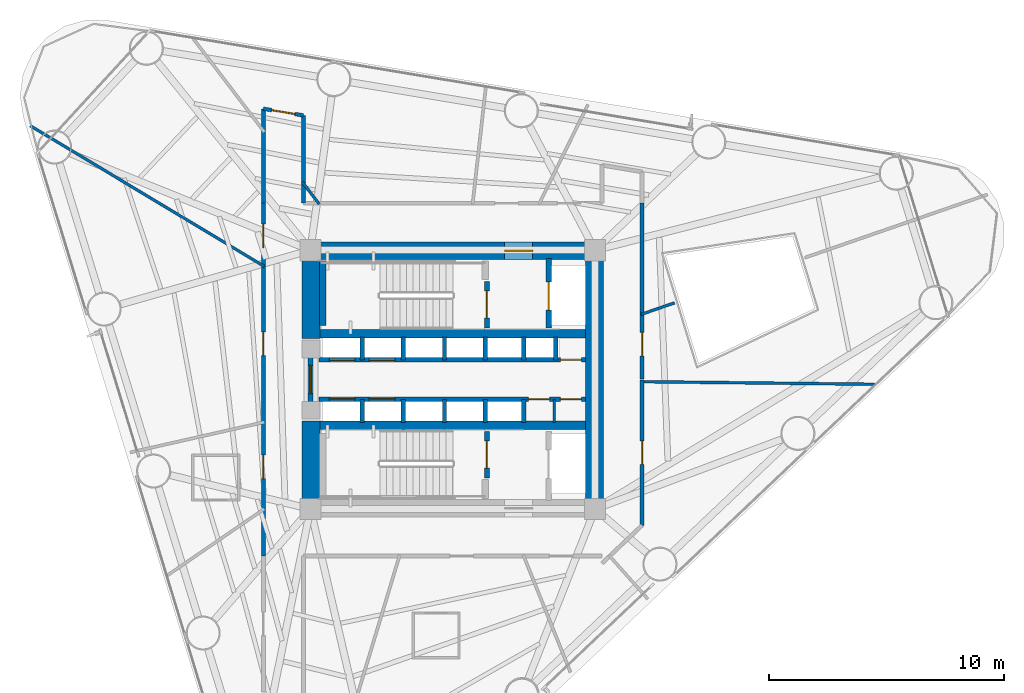
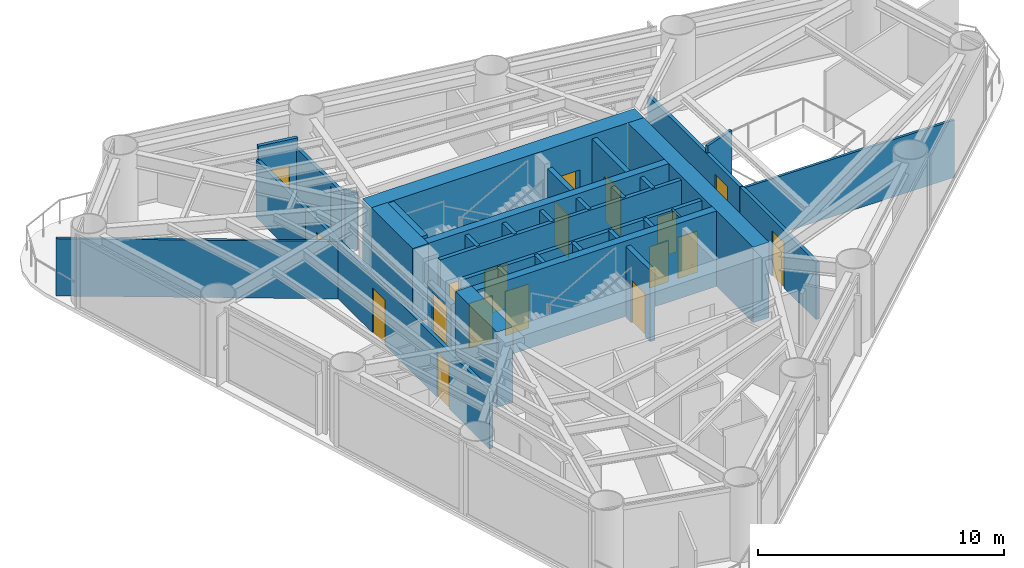
# One storey, part 6 of 10: 35 walls, 18 doors, 18 openings.
"""IFC4 building model written with IfcOpenShell, lengths in metres."""

from ifc_helpers import new_model, si_unit, direction, frame, frame_2d, origin, place, context, subcontext, project, spatial, rectangle, extrude, material, layer, layer_set, type_object, element, fill, save


model = new_model("IFC4")

# Units and contexts
model_context = context("Model", 3, precision=1e-05, world=origin(), true_north=direction((0.0, 1.0)))
body_context = subcontext(model_context, "Body", "Model", "MODEL_VIEW")
ifc_project = project(units=[si_unit("LENGTHUNIT", "METRE"), si_unit("AREAUNIT", "SQUARE_METRE"), si_unit("VOLUMEUNIT", "CUBIC_METRE"), si_unit("PLANEANGLEUNIT", "RADIAN"), si_unit("MASSUNIT", "GRAM", prefix="KILO")], contexts=[model_context])

# Site, building, storey
site_placement = place(None, origin())
site = spatial("IfcSite", under=ifc_project, at=site_placement, CompositionType="ELEMENT")
building_placement = place(site_placement, origin())
building = spatial("IfcBuilding", under=site, at=building_placement, Name="Yunling Apex Tower", CompositionType="ELEMENT")
storey_placement = place(building_placement, frame((0.0, 0.0, 97.39990234375)))
storey = spatial("IfcBuildingStorey", under=building, at=storey_placement, Name="L24", CompositionType="ELEMENT", Elevation=97.39990234375)

# Wall, opening, door
ifc_material_1 = material(Name="Concrete C60", Category="concrete")
ifc_layer_1 = layer(ifc_material_1, 0.75)
ifc_layer_set_1 = layer_set([ifc_layer_1], Name="Concrete C60")
wall_type_1 = type_object("IfcWallType", Name="WL-COR-1", PredefinedType="SHEAR", material=ifc_layer_set_1)
wall_1_placement = place(storey_placement, frame((-6.39990234375, 5.47509765625, 0.0), z_axis=(0.0, 0.0, 1.0), x_axis=(1.0, 0.0, 0.0)))
wall_1 = element("IfcWall", 1, at=wall_1_placement, inside=storey, type_object=wall_type_1, Name="L24 North Core Shear Wall", PredefinedType="SHEAR", context=body_context, shape_type="SweptSolid", body=[
    extrude(rectangle(XDim=12.7998046875, YDim=0.75, at=frame_2d((6.39990234375, 0.0))), origin(), (0.0, 0.0, 1.0), 3.75),
])
opening_1_placement = place(wall_1_placement, frame((8.60009765625, 0.0, 0.0)))
opening_1 = element("IfcOpeningElement", 2, at=opening_1_placement, cuts=wall_1, Name="Opening DR-FFL-1", PredefinedType="OPENING", context=body_context, shape_type="SweptSolid", body=[
    extrude(rectangle(XDim=1.199951171875, YDim=2.199951171875, at=frame_2d((0.60009765625, 1.10009765625))), frame((0.0, 0.385009765625, 0.0), z_axis=(0.0, -1.0, 0.0), x_axis=(1.0, 0.0, 0.0)), (0.0, 0.0, 1.0), 0.77001953125),
])
ifc_material_2 = material(Name="Steel Q355B", Category="steel")
door_type_1 = type_object("IfcDoorType", Name="DR-FFL-1", OperationType="NOTDEFINED", PredefinedType="DOOR", material=ifc_material_2)
door_1_placement = place(opening_1_placement, origin())
door_1 = element("IfcDoor", 3, at=door_1_placement, inside=storey, type_object=door_type_1, Name="L24 North Firefighting Lobby Door", OperationType="SINGLE_SWING_LEFT", OverallHeight=2.199951171875, OverallWidth=1.199951171875, PredefinedType="DOOR", context=body_context, shape_type="SweptSolid", body=[
    extrude(rectangle(XDim=1.199951171875, YDim=2.199951171875, at=frame_2d((0.60009765625, 1.10009765625))), frame((0.0, 0.02490234375, 0.0), z_axis=(0.0, -1.0, 0.0), x_axis=(1.0, 0.0, 0.0)), (0.0, 0.0, 1.0), 0.050048828125),
])
fill(opening_1, door_1)

# Walls
wall_2_placement = place(storey_placement, frame((6.02490234375, -5.10009765625, 0.0), z_axis=(0.0, 0.0, 1.0), x_axis=(0.0, 1.0, 0.0)))
element("IfcWall", 4, at=wall_2_placement, inside=storey, type_object=wall_type_1, Name="L24 East Core Shear Wall", PredefinedType="SHEAR", context=body_context, shape_type="SweptSolid", body=[
    extrude(rectangle(XDim=10.2001953125, YDim=0.75, at=frame_2d((5.10009765625, 0.0))), origin(), (0.0, 0.0, 1.0), 3.75),
])
for number, where, z_axis, x_axis, name in (
    (5, (-6.02490234375, -5.10009765625, 0.0), (0.0, 0.0, 1.0), (0.0, 1.0, 0.0), "L24 West-South Core Shear Wall"),
    (6, (-6.02490234375, 1.75, 0.0), (0.0, 0.0, 1.0), (0.0, 1.0, 0.0), "L24 West-North Core Shear Wall"),
):
    element("IfcWall", number, at=place(storey_placement, frame(where, z_axis=z_axis, x_axis=x_axis)), inside=storey, type_object=wall_type_1, Name=name, PredefinedType="SHEAR", context=body_context, shape_type="SweptSolid", body=[
        extrude(rectangle(XDim=3.35009765625, YDim=0.75, at=frame_2d((1.675048828125, 0.0))), origin(), (0.0, 0.0, 1.0), 3.75),
    ])
ifc_material_3 = material(Name="Concrete C40", Category="concrete")
ifc_layer_2 = layer(ifc_material_3, 0.360107421875)
ifc_layer_set_2 = layer_set([ifc_layer_2], Name="Concrete C40")
wall_type_2 = type_object("IfcWallType", Name="WL-COR-4", PredefinedType="SHEAR", material=ifc_layer_set_2)
for number, where, z_axis, x_axis, name in (
    (7, (-5.64990234375, 1.93994140625, 0.0), (0.0, 0.0, 1.0), (1.0, 0.0, 0.0), "L24 North Internal Core Shear Wall"),
    (8, (-5.64990234375, -1.93994140625, 0.0), (0.0, 0.0, 1.0), (1.0, 0.0, 0.0), "L24 South Internal Core Shear Wall"),
):
    element("IfcWall", number, at=place(storey_placement, frame(where, z_axis=z_axis, x_axis=x_axis)), inside=storey, type_object=wall_type_2, Name=name, PredefinedType="SHEAR", context=body_context, shape_type="SweptSolid", body=[
        extrude(rectangle(XDim=11.2998046875, YDim=0.360107421875, at=frame_2d((5.64990234375, 0.0))), origin(), (0.0, 0.0, 1.0), 3.75),
    ])
ifc_layer_3 = layer(ifc_material_3, 0.280029296875)
ifc_layer_set_3 = layer_set([ifc_layer_3], Name="Concrete C40")
wall_type_3 = type_object("IfcWallType", Name="WL-COR-8", PredefinedType="SHEAR", material=ifc_layer_set_3)
wall_3_placement = place(storey_placement, frame((-5.52001953125, 2.300048828125, 0.0), z_axis=(0.0, 0.0, 1.0), x_axis=(0.0, 1.0, 0.0)))
element("IfcWall", 9, at=wall_3_placement, inside=storey, type_object=wall_type_3, Name="L24 ST-1 West Landing Bearing Wall", PredefinedType="SHEAR", context=body_context, shape_type="SweptSolid", body=[
    extrude(rectangle(XDim=2.75, YDim=0.280029296875, at=frame_2d((1.375, 0.0))), origin(), (0.0, 0.0, 1.0), 3.75),
])

# Wall, openings, doors
ifc_material_4 = material(Name="Gypsum board acoustic partition")
ifc_layer_4 = layer(ifc_material_4, 0.159912109375)
ifc_layer_set_4 = layer_set([ifc_layer_4], Name="Gypsum board acoustic partition")
wall_type_4 = type_object("IfcWallType", Name="WL-PRT-1", PredefinedType="PARTITIONING", material=ifc_layer_set_4)
wall_4_placement = place(storey_placement, frame((-8.050048828125, -7.5, 0.0), z_axis=(0.0, 0.0, 1.0), x_axis=(0.0, 1.0, 0.0)))
wall_4 = element("IfcWall", 10, at=wall_4_placement, inside=storey, type_object=wall_type_4, Name="WL-CORR-L24-02", PredefinedType="PARTITIONING", context=body_context, shape_type="SweptSolid", body=[
    extrude(rectangle(XDim=15.0, YDim=0.159912109375, at=frame_2d((7.5, 0.0))), origin(), (0.0, 0.0, 1.0), 2.85009765625),
])
opening_2_placement = place(wall_4_placement, frame((3.2919921875, 0.0, 0.0)))
opening_2 = element("IfcOpeningElement", 11, at=opening_2_placement, cuts=wall_4, Name="Opening DR-OFF-1", PredefinedType="OPENING", context=body_context, shape_type="SweptSolid", body=[
    extrude(rectangle(XDim=1.0, YDim=2.25, at=frame_2d((0.5, 1.125))), frame((0.0, 0.08984375, 0.0), z_axis=(0.0, -1.0, 0.0), x_axis=(1.0, 0.0, 0.0)), (0.0, 0.0, 1.0), 0.179931640625),
])
opening_3_placement = place(wall_4_placement, frame((8.52392578125, 0.0, 0.0)))
opening_3 = element("IfcOpeningElement", 12, at=opening_3_placement, cuts=wall_4, Name="Opening DR-OFF-1", PredefinedType="OPENING", context=body_context, shape_type="SweptSolid", body=[
    extrude(rectangle(XDim=1.0, YDim=2.25, at=frame_2d((0.5, 1.125))), frame((0.0, 0.08984375, 0.0), z_axis=(0.0, -1.0, 0.0), x_axis=(1.0, 0.0, 0.0)), (0.0, 0.0, 1.0), 0.179931640625),
])
opening_4_placement = place(wall_4_placement, frame((13.105224609375, 0.0, 0.0)))
opening_4 = element("IfcOpeningElement", 13, at=opening_4_placement, cuts=wall_4, Name="Opening DR-OFF-1", PredefinedType="OPENING", context=body_context, shape_type="SweptSolid", body=[
    extrude(rectangle(XDim=1.0, YDim=2.25, at=frame_2d((0.5, 1.125))), frame((0.0, 0.08984375, 0.0), z_axis=(0.0, -1.0, 0.0), x_axis=(1.0, 0.0, 0.0)), (0.0, 0.0, 1.0), 0.179931640625),
])
ifc_material_5 = material(Name="Bronze anodised aluminium", Category="aluminium")
door_type_2 = type_object("IfcDoorType", Name="DR-OFF-1", OperationType="NOTDEFINED", PredefinedType="DOOR", material=ifc_material_5)
door_2_placement = place(opening_2_placement, origin())
door_2 = element("IfcDoor", 14, at=door_2_placement, inside=storey, type_object=door_type_2, Name="L24 Office Suite Door", OperationType="SINGLE_SWING_LEFT", OverallHeight=2.25, OverallWidth=1.0, PredefinedType="DOOR", context=body_context, shape_type="SweptSolid", body=[
    extrude(rectangle(XDim=1.0, YDim=2.25, at=frame_2d((0.5, 1.125))), frame((0.0, 0.02490234375, 0.0), z_axis=(0.0, -1.0, 0.0), x_axis=(1.0, 0.0, 0.0)), (0.0, 0.0, 1.0), 0.050048828125),
])
fill(opening_2, door_2)
door_3_placement = place(opening_3_placement, origin())
door_3 = element("IfcDoor", 15, at=door_3_placement, inside=storey, type_object=door_type_2, Name="L24 Tea Point Kitchen Door", OperationType="SINGLE_SWING_RIGHT", OverallHeight=2.25, OverallWidth=1.0, PredefinedType="DOOR", context=body_context, shape_type="SweptSolid", body=[
    extrude(rectangle(XDim=1.0, YDim=2.25, at=frame_2d((0.5, 1.125))), frame((0.0, 0.02490234375, 0.0), z_axis=(0.0, -1.0, 0.0), x_axis=(1.0, 0.0, 0.0)), (0.0, 0.0, 1.0), 0.050048828125),
])
fill(opening_3, door_3)
door_4_placement = place(opening_4_placement, origin())
door_4 = element("IfcDoor", 16, at=door_4_placement, inside=storey, type_object=door_type_2, Name="L24 Tea Point Kitchen Door", OperationType="SINGLE_SWING_LEFT", OverallHeight=2.25, OverallWidth=1.0, PredefinedType="DOOR", context=body_context, shape_type="SweptSolid", body=[
    extrude(rectangle(XDim=1.0, YDim=2.25, at=frame_2d((0.5, 1.125))), frame((0.0, 0.02490234375, 0.0), z_axis=(0.0, -1.0, 0.0), x_axis=(1.0, 0.0, 0.0)), (0.0, 0.0, 1.0), 0.050048828125),
])
fill(opening_4, door_4)

# Wall
wall_5_placement = place(storey_placement, frame((-8.050048828125, 7.5, 0.0), z_axis=(0.0, 0.0, 1.0), x_axis=(0.0, 1.0, 0.0)))
element("IfcWall", 17, at=wall_5_placement, inside=storey, type_object=wall_type_4, Name="WL-CORR-L24-03", PredefinedType="PARTITIONING", context=body_context, shape_type="SweptSolid", body=[
    extrude(rectangle(XDim=4.012451171875, YDim=0.159912109375, at=frame_2d((2.00634765625, 0.0))), origin(), (0.0, 0.0, 1.0), 2.85009765625),
])

# Wall, opening, door
wall_6_placement = place(storey_placement, frame((-8.050048828125, 11.512451171875, 0.0), z_axis=(0.0, 0.0, 1.0), x_axis=(0.986405407683, -0.164330069354, 0.0)))
wall_6 = element("IfcWall", 18, at=wall_6_placement, inside=storey, type_object=wall_type_4, Name="WL-CORR-L24-04", PredefinedType="PARTITIONING", context=body_context, shape_type="SweptSolid", body=[
    extrude(rectangle(XDim=1.723388671875, YDim=0.159912109375, at=frame_2d((0.86181640625, 0.0))), origin(), (0.0, 0.0, 1.0), 3.545166015625),
])
opening_5_placement = place(wall_6_placement, frame((0.36181640625, 0.0, 0.0)))
opening_5 = element("IfcOpeningElement", 19, at=opening_5_placement, cuts=wall_6, Name="Opening DR-OFF-1", PredefinedType="OPENING", context=body_context, shape_type="SweptSolid", body=[
    extrude(rectangle(XDim=1.0, YDim=2.25, at=frame_2d((0.5, 1.125))), frame((0.0, 0.08984375, 0.0), z_axis=(0.0, -1.0, 0.0), x_axis=(1.0, 0.0, 0.0)), (0.0, 0.0, 1.0), 0.179931640625),
])
door_5_placement = place(opening_5_placement, origin())
door_5 = element("IfcDoor", 20, at=door_5_placement, inside=storey, type_object=door_type_2, Name="L24 Administration Staff Room Door", OperationType="SINGLE_SWING_RIGHT", OverallHeight=2.25, OverallWidth=1.0, PredefinedType="DOOR", context=body_context, shape_type="SweptSolid", body=[
    extrude(rectangle(XDim=1.0, YDim=2.25, at=frame_2d((0.5, 1.125))), frame((0.0, 0.02490234375, 0.0), z_axis=(0.0, -1.0, 0.0), x_axis=(1.0, 0.0, 0.0)), (0.0, 0.0, 1.0), 0.050048828125),
])
fill(opening_5, door_5)

# Wall
wall_7_placement = place(storey_placement, frame((-6.35009765625, 11.229248046875, 0.0), z_axis=(0.0, 0.0, 1.0), x_axis=(0.0, -1.0, 0.0)))
element("IfcWall", 21, at=wall_7_placement, inside=storey, type_object=wall_type_4, Name="WL-CORR-L24-05", PredefinedType="PARTITIONING", context=body_context, shape_type="SweptSolid", body=[
    extrude(rectangle(XDim=3.729248046875, YDim=0.159912109375, at=frame_2d((1.86474609375, 0.0))), origin(), (0.0, 0.0, 1.0), 3.050048828125),
])

# Wall, opening, door
wall_8_placement = place(storey_placement, frame((8.050048828125, 7.5, 0.0), z_axis=(0.0, 0.0, 1.0), x_axis=(0.0, -1.0, 0.0)))
wall_8 = element("IfcWall", 22, at=wall_8_placement, inside=storey, type_object=wall_type_4, Name="WL-CORR-L24-10", PredefinedType="PARTITIONING", context=body_context, shape_type="SweptSolid", body=[
    extrude(rectangle(XDim=7.47998046875, YDim=0.159912109375, at=frame_2d((3.739990234375, 0.0))), origin(), (0.0, 0.0, 1.0), 2.85009765625),
])
opening_6_placement = place(wall_8_placement, frame((5.4912109375, 0.0, 0.0)))
opening_6 = element("IfcOpeningElement", 23, at=opening_6_placement, cuts=wall_8, Name="Opening DR-OFF-1", PredefinedType="OPENING", context=body_context, shape_type="SweptSolid", body=[
    extrude(rectangle(XDim=1.0, YDim=2.25, at=frame_2d((0.5, 1.125))), frame((0.0, 0.08984375, 0.0), z_axis=(0.0, -1.0, 0.0), x_axis=(1.0, 0.0, 0.0)), (0.0, 0.0, 1.0), 0.179931640625),
])
door_6_placement = place(opening_6_placement, origin())
door_6 = element("IfcDoor", 24, at=door_6_placement, inside=storey, type_object=door_type_2, Name="L24 Conference Meeting Room Door", OperationType="SINGLE_SWING_LEFT", OverallHeight=2.25, OverallWidth=1.0, PredefinedType="DOOR", context=body_context, shape_type="SweptSolid", body=[
    extrude(rectangle(XDim=1.0, YDim=2.25, at=frame_2d((0.5, 1.125))), frame((0.0, 0.02490234375, 0.0), z_axis=(0.0, -1.0, 0.0), x_axis=(1.0, 0.0, 0.0)), (0.0, 0.0, 1.0), 0.050048828125),
])
fill(opening_6, door_6)

wall_9_placement = place(storey_placement, frame((8.050048828125, -0.02001953125, 0.0), z_axis=(0.0, 0.0, 1.0), x_axis=(0.0, -1.0, 0.0)))
wall_9 = element("IfcWall", 25, at=wall_9_placement, inside=storey, type_object=wall_type_4, Name="WL-CORR-L24-11", PredefinedType="PARTITIONING", context=body_context, shape_type="SweptSolid", body=[
    extrude(rectangle(XDim=6.173583984375, YDim=0.159912109375, at=frame_2d((3.0869140625, 0.0))), origin(), (0.0, 0.0, 1.0), 2.85009765625),
])
opening_7_placement = place(wall_9_placement, frame((2.5869140625, 0.0, 0.0)))
opening_7 = element("IfcOpeningElement", 26, at=opening_7_placement, cuts=wall_9, Name="Opening DR-OFF-1", PredefinedType="OPENING", context=body_context, shape_type="SweptSolid", body=[
    extrude(rectangle(XDim=1.0, YDim=2.25, at=frame_2d((0.5, 1.125))), frame((0.0, 0.08984375, 0.0), z_axis=(0.0, -1.0, 0.0), x_axis=(1.0, 0.0, 0.0)), (0.0, 0.0, 1.0), 0.179931640625),
])
door_7_placement = place(opening_7_placement, origin())
door_7 = element("IfcDoor", 27, at=door_7_placement, inside=storey, type_object=door_type_2, Name="L24 Tea Point Kitchen Door", OperationType="SINGLE_SWING_RIGHT", OverallHeight=2.25, OverallWidth=1.0, PredefinedType="DOOR", context=body_context, shape_type="SweptSolid", body=[
    extrude(rectangle(XDim=1.0, YDim=2.25, at=frame_2d((0.5, 1.125))), frame((0.0, 0.02490234375, 0.0), z_axis=(0.0, -1.0, 0.0), x_axis=(1.0, 0.0, 0.0)), (0.0, 0.0, 1.0), 0.050048828125),
])
fill(opening_7, door_7)

# Walls
ifc_layer_5 = layer(ifc_material_4, 0.1201171875)
ifc_layer_set_5 = layer_set([ifc_layer_5], Name="Gypsum board acoustic partition")
wall_type_5 = type_object("IfcWallType", Name="WL-PRT-3", PredefinedType="PARTITIONING", material=ifc_layer_set_5)
wall_10_placement = place(storey_placement, frame((-8.010009765625, 4.81298828125, 0.0), z_axis=(0.0, 0.0, 1.0), x_axis=(-0.857173493242, 0.515027768653, 0.0)))
element("IfcWall", 28, at=wall_10_placement, inside=storey, type_object=wall_type_5, Name="WL-RAD-L24-01", PredefinedType="PARTITIONING", context=body_context, shape_type="SweptSolid", body=[
    extrude(rectangle(XDim=11.605224609375, YDim=0.1201171875, at=frame_2d((5.802734375, 0.0))), origin(), (0.0, 0.0, 1.0), 2.85009765625),
])
wall_11_placement = place(storey_placement, frame((8.010009765625, -0.089111328125, 0.0), z_axis=(0.0, 0.0, 1.0), x_axis=(0.999938319872, -0.011106594972, 0.0)))
element("IfcWall", 29, at=wall_11_placement, inside=storey, type_object=wall_type_5, Name="WL-RAD-L24-07", PredefinedType="PARTITIONING", context=body_context, shape_type="SweptSolid", body=[
    extrude(rectangle(XDim=9.913818359375, YDim=0.1201171875, at=frame_2d((4.95703125, 0.0))), origin(), (0.0, 0.0, 1.0), 2.85009765625),
])
wall_12_placement = place(storey_placement, frame((8.010009765625, 2.772216796875, 0.0), z_axis=(0.0, 0.0, 1.0), x_axis=(0.945009284385, 0.327043502344, 0.0)))
element("IfcWall", 30, at=wall_12_placement, inside=storey, type_object=wall_type_5, Name="WL-RAD-L24-08", PredefinedType="PARTITIONING", context=body_context, shape_type="SweptSolid", body=[
    extrude(rectangle(XDim=1.50048828125, YDim=0.1201171875, at=frame_2d((0.750244140625, 0.0))), origin(), (0.0, 0.0, 1.0), 3.210205078125),
])
wall_13_placement = place(storey_placement, frame((-5.677490234375, 7.4599609375, 0.0), z_axis=(0.0, 0.0, 1.0), x_axis=(-0.605430415, 0.795898242612, 0.0)))
element("IfcWall", 31, at=wall_13_placement, inside=storey, type_object=wall_type_5, Name="WL-RAD-L24-12", PredefinedType="PARTITIONING", context=body_context, shape_type="SweptSolid", body=[
    extrude(rectangle(XDim=1.1767578125, YDim=0.1201171875, at=frame_2d((0.58837890625, 0.0))), origin(), (0.0, 0.0, 1.0), 2.85009765625),
])
ifc_layer_6 = layer(ifc_material_4, 0.10009765625)
ifc_layer_set_6 = layer_set([ifc_layer_6], Name="Gypsum board acoustic partition")
wall_type_6 = type_object("IfcWallType", Name="WL-PRT-4", PredefinedType="PARTITIONING", material=ifc_layer_set_6)
wall_14_placement = place(storey_placement, frame((4.31005859375, -1.820068359375, 0.0), z_axis=(0.0, 0.0, 1.0), x_axis=(0.0, 1.0, 0.0)))
element("IfcWall", 32, at=wall_14_placement, inside=storey, type_object=wall_type_6, Name="WL-KCDIV-L24", PredefinedType="PARTITIONING", context=body_context, shape_type="SweptSolid", body=[
    extrude(rectangle(XDim=0.97998046875, YDim=0.10009765625, at=frame_2d((0.489990234375, 0.0))), origin(), (0.0, 0.0, 1.0), 3.545166015625),
])

# Wall, opening, door
ifc_material_6 = material(Name="Autoclaved aerated concrete masonry", Category="masonry")
ifc_layer_7 = layer(ifc_material_6, 0.219970703125)
ifc_layer_set_7 = layer_set([ifc_layer_7], Name="Autoclaved aerated concrete masonry")
wall_type_7 = type_object("IfcWallType", Name="WL-SHF-1", PredefinedType="PLUMBINGWALL", material=ifc_layer_set_7)
wall_15_placement = place(storey_placement, frame((-6.050048828125, -0.949951171875, 0.0), z_axis=(0.0, 0.0, 1.0), x_axis=(0.0, 1.0, 0.0)))
wall_15 = element("IfcWall", 33, at=wall_15_placement, inside=storey, type_object=wall_type_7, Name="WL-COR-WPORT-L24", PredefinedType="PLUMBINGWALL", context=body_context, shape_type="SweptSolid", body=[
    extrude(rectangle(XDim=1.89990234375, YDim=0.219970703125, at=frame_2d((0.949951171875, 0.0))), origin(), (0.0, 0.0, 1.0), 2.525146484375),
])
opening_8_placement = place(wall_15_placement, frame((0.35009765625, 0.0, 0.0)))
opening_8 = element("IfcOpeningElement", 34, at=opening_8_placement, cuts=wall_15, Name="Opening DR-FFL-1", PredefinedType="OPENING", context=body_context, shape_type="SweptSolid", body=[
    extrude(rectangle(XDim=1.199951171875, YDim=2.199951171875, at=frame_2d((0.60009765625, 1.10009765625))), frame((0.0, 0.1201171875, 0.0), z_axis=(0.0, -1.0, 0.0), x_axis=(1.0, 0.0, 0.0)), (0.0, 0.0, 1.0), 0.239990234375),
])
door_8_placement = place(opening_8_placement, origin())
door_8 = element("IfcDoor", 35, at=door_8_placement, inside=storey, type_object=door_type_1, Name="L24 Passenger Lift Lobby Entrance Door", OperationType="SINGLE_SWING_RIGHT", OverallHeight=2.199951171875, OverallWidth=1.199951171875, PredefinedType="DOOR", context=body_context, shape_type="SweptSolid", body=[
    extrude(rectangle(XDim=1.199951171875, YDim=2.199951171875, at=frame_2d((0.60009765625, 1.10009765625))), frame((0.0, 0.02490234375, 0.0), z_axis=(0.0, -1.0, 0.0), x_axis=(1.0, 0.0, 0.0)), (0.0, 0.0, 1.0), 0.050048828125),
])
fill(opening_8, door_8)

wall_16_placement = place(storey_placement, frame((1.449951171875, 2.199951171875, 0.0), z_axis=(0.0, 0.0, 1.0), x_axis=(0.0, 1.0, 0.0)))
wall_16 = element("IfcWall", 36, at=wall_16_placement, inside=storey, type_object=wall_type_7, Name="WL-ST1-E-L24", PredefinedType="PLUMBINGWALL", context=body_context, shape_type="SweptSolid", body=[
    extrude(rectangle(XDim=1.97998046875, YDim=0.219970703125, at=frame_2d((0.989990234375, 0.0))), origin(), (0.0, 0.0, 1.0), 3.545166015625),
])
opening_9_placement = place(wall_16_placement, frame((0.419921875, 0.0, 0.0)))
opening_9 = element("IfcOpeningElement", 37, at=opening_9_placement, cuts=wall_16, Name="Opening DR-ST-1", PredefinedType="OPENING", context=body_context, shape_type="SweptSolid", body=[
    extrude(rectangle(XDim=1.14990234375, YDim=2.14990234375, at=frame_2d((0.574951171875, 1.074951171875))), frame((0.0, 0.1201171875, 0.0), z_axis=(0.0, -1.0, 0.0), x_axis=(1.0, 0.0, 0.0)), (0.0, 0.0, 1.0), 0.239990234375),
])
door_type_3 = type_object("IfcDoorType", Name="DR-ST-1", OperationType="NOTDEFINED", PredefinedType="DOOR", material=ifc_material_2)
door_9_placement = place(opening_9_placement, origin())
door_9 = element("IfcDoor", 38, at=door_9_placement, inside=storey, type_object=door_type_3, Name="L24 Stair ST-1 Fire Door", OperationType="SINGLE_SWING_RIGHT", OverallHeight=2.14990234375, OverallWidth=1.14990234375, PredefinedType="DOOR", context=body_context, shape_type="SweptSolid", body=[
    extrude(rectangle(XDim=1.14990234375, YDim=2.14990234375, at=frame_2d((0.574951171875, 1.074951171875))), frame((0.0, 0.02490234375, 0.0), z_axis=(0.0, -1.0, 0.0), x_axis=(1.0, 0.0, 0.0)), (0.0, 0.0, 1.0), 0.050048828125),
])
fill(opening_9, door_9)

wall_17_placement = place(storey_placement, frame((4.080078125, 2.199951171875, 0.0), z_axis=(0.0, 0.0, 1.0), x_axis=(0.0, 1.0, 0.0)))
wall_17 = element("IfcWall", 39, at=wall_17_placement, inside=storey, type_object=wall_type_7, Name="WL-FFL1-W-L24", PredefinedType="PLUMBINGWALL", context=body_context, shape_type="SweptSolid", body=[
    extrude(rectangle(XDim=2.949951171875, YDim=0.219970703125, at=frame_2d((1.47509765625, 0.0))), origin(), (0.0, 0.0, 1.0), 3.545166015625),
])
opening_10_placement = place(wall_17_placement, frame((0.75, 0.0, 0.0)))
opening_10 = element("IfcOpeningElement", 40, at=opening_10_placement, cuts=wall_17, Name="Opening LD-FFL-1", PredefinedType="OPENING", context=body_context, shape_type="SweptSolid", body=[
    extrude(rectangle(XDim=1.199951171875, YDim=2.25, at=frame_2d((0.60009765625, 1.125))), frame((0.0, 0.1201171875, 0.0), z_axis=(0.0, -1.0, 0.0), x_axis=(1.0, 0.0, 0.0)), (0.0, 0.0, 1.0), 0.239990234375),
])
door_type_4 = type_object("IfcDoorType", Name="LD-FFL-1", OperationType="DOUBLE_DOOR_SLIDING", PredefinedType="DOOR", material=ifc_material_2)
door_10_placement = place(opening_10_placement, origin())
door_10 = element("IfcDoor", 41, at=door_10_placement, inside=storey, type_object=door_type_4, Name="L24 Lift FFL-1 Landing Door", OperationType="DOUBLE_DOOR_SLIDING", OverallHeight=2.25, OverallWidth=1.199951171875, PredefinedType="DOOR", context=body_context, shape_type="SweptSolid", body=[
    extrude(rectangle(XDim=1.199951171875, YDim=2.25, at=frame_2d((0.60009765625, 1.125))), frame((0.0, 0.02490234375, 0.0), z_axis=(0.0, -1.0, 0.0), x_axis=(1.0, 0.0, 0.0)), (0.0, 0.0, 1.0), 0.050048828125),
])
fill(opening_10, door_10)

wall_18_placement = place(storey_placement, frame((1.449951171875, -4.179931640625, 0.0), z_axis=(0.0, 0.0, 1.0), x_axis=(0.0, 1.0, 0.0)))
wall_18 = element("IfcWall", 42, at=wall_18_placement, inside=storey, type_object=wall_type_7, Name="WL-ST2-E-L24", PredefinedType="PLUMBINGWALL", context=body_context, shape_type="SweptSolid", body=[
    extrude(rectangle(XDim=1.97998046875, YDim=0.219970703125, at=frame_2d((0.989990234375, 0.0))), origin(), (0.0, 0.0, 1.0), 3.545166015625),
])
opening_11_placement = place(wall_18_placement, frame((0.419921875, 0.0, 0.0)))
opening_11 = element("IfcOpeningElement", 43, at=opening_11_placement, cuts=wall_18, Name="Opening DR-ST-1", PredefinedType="OPENING", context=body_context, shape_type="SweptSolid", body=[
    extrude(rectangle(XDim=1.14990234375, YDim=2.14990234375, at=frame_2d((0.574951171875, 1.074951171875))), frame((0.0, 0.1201171875, 0.0), z_axis=(0.0, -1.0, 0.0), x_axis=(1.0, 0.0, 0.0)), (0.0, 0.0, 1.0), 0.239990234375),
])
door_11_placement = place(opening_11_placement, origin())
door_11 = element("IfcDoor", 44, at=door_11_placement, inside=storey, type_object=door_type_3, Name="L24 Stair ST-2 Fire Door", OperationType="SINGLE_SWING_LEFT", OverallHeight=2.14990234375, OverallWidth=1.14990234375, PredefinedType="DOOR", context=body_context, shape_type="SweptSolid", body=[
    extrude(rectangle(XDim=1.14990234375, YDim=2.14990234375, at=frame_2d((0.574951171875, 1.074951171875))), frame((0.0, 0.02490234375, 0.0), z_axis=(0.0, -1.0, 0.0), x_axis=(1.0, 0.0, 0.0)), (0.0, 0.0, 1.0), 0.050048828125),
])
fill(opening_11, door_11)

# Walls
ifc_layer_8 = layer(ifc_material_6, 0.179931640625)
ifc_layer_set_8 = layer_set([ifc_layer_8], Name="Autoclaved aerated concrete masonry")
wall_type_8 = type_object("IfcWallType", Name="WL-SHF-2", PredefinedType="PLUMBINGWALL", material=ifc_layer_set_8)
for number, where, z_axis, x_axis, name in (
    (45, (-3.85009765625, 0.840087890625, 0.0), (0.0, 0.0, 1.0), (0.0, 1.0, 0.0), "WL-DIV-L12-L24"),
    (46, (-3.85009765625, -1.820068359375, 0.0), (0.0, 0.0, 1.0), (0.0, 1.0, 0.0), "WL-DIV-L34-L24"),
    (47, (-2.10009765625, 0.840087890625, 0.0), (0.0, 0.0, 1.0), (0.0, 1.0, 0.0), "WL-BNK-LM-N-L24"),
    (48, (-2.10009765625, -1.820068359375, 0.0), (0.0, 0.0, 1.0), (0.0, 1.0, 0.0), "WL-BNK-LM-S-L24"),
    (49, (-0.35009765625, 0.840087890625, 0.0), (0.0, 0.0, 1.0), (0.0, 1.0, 0.0), "WL-DIV-M12-L24"),
    (50, (-0.35009765625, -1.820068359375, 0.0), (0.0, 0.0, 1.0), (0.0, 1.0, 0.0), "WL-DIV-M34-L24"),
    (51, (1.3798828125, 0.840087890625, 0.0), (0.0, 0.0, 1.0), (0.0, 1.0, 0.0), "WL-BNK-MH-N-L24"),
    (52, (1.3798828125, -1.820068359375, 0.0), (0.0, 0.0, 1.0), (0.0, 1.0, 0.0), "WL-BNK-MH-S-L24"),
    (53, (3.02001953125, 0.840087890625, 0.0), (0.0, 0.0, 1.0), (0.0, 1.0, 0.0), "WL-DIV-H13-L24"),
    (54, (4.3798828125, 0.840087890625, 0.0), (0.0, 0.0, 1.0), (0.0, 1.0, 0.0), "WL-END-H3E-L24"),
    (55, (3.02001953125, -1.820068359375, 0.0), (0.0, 0.0, 1.0), (0.0, 1.0, 0.0), "WL-END-H2E-L24"),
):
    element("IfcWall", number, at=place(storey_placement, frame(where, z_axis=z_axis, x_axis=x_axis)), inside=storey, type_object=wall_type_8, Name=name, PredefinedType="PLUMBINGWALL", context=body_context, shape_type="SweptSolid", body=[
        extrude(rectangle(XDim=0.97998046875, YDim=0.179931640625, at=frame_2d((0.489990234375, 0.0))), origin(), (0.0, 0.0, 1.0), 3.545166015625),
    ])

# Wall, openings, doors
wall_19_placement = place(storey_placement, frame((-5.679931640625, 0.840087890625, 0.0), z_axis=(0.0, 0.0, 1.0), x_axis=(1.0, 0.0, 0.0)))
wall_19 = element("IfcWall", 56, at=wall_19_placement, inside=storey, type_object=wall_type_8, Name="WL-LOB-N-L24", PredefinedType="PLUMBINGWALL", context=body_context, shape_type="SweptSolid", body=[
    extrude(rectangle(XDim=11.329833984375, YDim=0.179931640625, at=frame_2d((5.6650390625, 0.0))), origin(), (0.0, 0.0, 1.0), 3.545166015625),
])
opening_12_placement = place(wall_19_placement, frame((0.429931640625, 0.0, 0.0)))
opening_12 = element("IfcOpeningElement", 57, at=opening_12_placement, cuts=wall_19, Name="Opening LD-PAS-1", PredefinedType="OPENING", context=body_context, shape_type="SweptSolid", body=[
    extrude(rectangle(XDim=1.10009765625, YDim=2.199951171875, at=frame_2d((0.550048828125, 1.10009765625))), frame((0.0, 0.10009765625, 0.0), z_axis=(0.0, -1.0, 0.0), x_axis=(1.0, 0.0, 0.0)), (0.0, 0.0, 1.0), 0.199951171875),
])
opening_13_placement = place(wall_19_placement, frame((2.1298828125, 0.0, 0.0)))
opening_13 = element("IfcOpeningElement", 58, at=opening_13_placement, cuts=wall_19, Name="Opening LD-PAS-1", PredefinedType="OPENING", context=body_context, shape_type="SweptSolid", body=[
    extrude(rectangle(XDim=1.10009765625, YDim=2.199951171875, at=frame_2d((0.550048828125, 1.10009765625))), frame((0.0, 0.10009765625, 0.0), z_axis=(0.0, -1.0, 0.0), x_axis=(1.0, 0.0, 0.0)), (0.0, 0.0, 1.0), 0.199951171875),
])
opening_14_placement = place(wall_19_placement, frame((10.25, 0.0, 0.0)))
opening_14 = element("IfcOpeningElement", 59, at=opening_14_placement, cuts=wall_19, Name="Opening DR-SHF-1", PredefinedType="OPENING", context=body_context, shape_type="SweptSolid", body=[
    extrude(rectangle(XDim=0.89990234375, YDim=2.050048828125, at=frame_2d((0.449951171875, 1.02490234375))), frame((0.0, 0.10009765625, 0.0), z_axis=(0.0, -1.0, 0.0), x_axis=(1.0, 0.0, 0.0)), (0.0, 0.0, 1.0), 0.199951171875),
])
door_type_5 = type_object("IfcDoorType", Name="DR-SHF-1", OperationType="NOTDEFINED", PredefinedType="DOOR", material=ifc_material_2)
door_12_placement = place(opening_14_placement, origin())
door_12 = element("IfcDoor", 60, at=door_12_placement, inside=storey, type_object=door_type_5, Name="L24 Floor Supply Store Door", OperationType="SINGLE_SWING_RIGHT", OverallHeight=2.050048828125, OverallWidth=0.89990234375, PredefinedType="DOOR", context=body_context, shape_type="SweptSolid", body=[
    extrude(rectangle(XDim=0.89990234375, YDim=2.050048828125, at=frame_2d((0.449951171875, 1.02490234375))), frame((0.0, 0.02490234375, 0.0), z_axis=(0.0, -1.0, 0.0), x_axis=(1.0, 0.0, 0.0)), (0.0, 0.0, 1.0), 0.050048828125),
])
fill(opening_14, door_12)
ifc_material_7 = material(Name="Silver anodised aluminium", Category="aluminium")
door_type_6 = type_object("IfcDoorType", Name="LD-PAS-1", OperationType="DOUBLE_DOOR_SLIDING", PredefinedType="DOOR", material=ifc_material_7)
door_13_placement = place(opening_12_placement, origin())
door_13 = element("IfcDoor", 61, at=door_13_placement, inside=storey, type_object=door_type_6, Name="L24 Lift PL-L1 Landing Door", OperationType="DOUBLE_DOOR_SLIDING", OverallHeight=2.199951171875, OverallWidth=1.10009765625, PredefinedType="DOOR", context=body_context, shape_type="SweptSolid", body=[
    extrude(rectangle(XDim=1.10009765625, YDim=2.199951171875, at=frame_2d((0.550048828125, 1.10009765625))), frame((0.0, 0.02490234375, 0.0), z_axis=(0.0, -1.0, 0.0), x_axis=(1.0, 0.0, 0.0)), (0.0, 0.0, 1.0), 0.050048828125),
])
fill(opening_12, door_13)
door_14_placement = place(opening_13_placement, origin())
door_14 = element("IfcDoor", 62, at=door_14_placement, inside=storey, type_object=door_type_6, Name="L24 Lift PL-L2 Landing Door", OperationType="DOUBLE_DOOR_SLIDING", OverallHeight=2.199951171875, OverallWidth=1.10009765625, PredefinedType="DOOR", context=body_context, shape_type="SweptSolid", body=[
    extrude(rectangle(XDim=1.10009765625, YDim=2.199951171875, at=frame_2d((0.550048828125, 1.10009765625))), frame((0.0, 0.02490234375, 0.0), z_axis=(0.0, -1.0, 0.0), x_axis=(1.0, 0.0, 0.0)), (0.0, 0.0, 1.0), 0.050048828125),
])
fill(opening_13, door_14)

wall_20_placement = place(storey_placement, frame((-5.679931640625, -0.840087890625, 0.0), z_axis=(0.0, 0.0, 1.0), x_axis=(1.0, 0.0, 0.0)))
wall_20 = element("IfcWall", 63, at=wall_20_placement, inside=storey, type_object=wall_type_8, Name="WL-LOB-S-L24", PredefinedType="PLUMBINGWALL", context=body_context, shape_type="SweptSolid", body=[
    extrude(rectangle(XDim=11.329833984375, YDim=0.179931640625, at=frame_2d((5.6650390625, 0.0))), origin(), (0.0, 0.0, 1.0), 3.545166015625),
])
opening_15_placement = place(wall_20_placement, frame((0.429931640625, 0.0, 0.0)))
opening_15 = element("IfcOpeningElement", 64, at=opening_15_placement, cuts=wall_20, Name="Opening LD-PAS-1", PredefinedType="OPENING", context=body_context, shape_type="SweptSolid", body=[
    extrude(rectangle(XDim=1.10009765625, YDim=2.199951171875, at=frame_2d((0.550048828125, 1.10009765625))), frame((0.0, 0.10009765625, 0.0), z_axis=(0.0, -1.0, 0.0), x_axis=(1.0, 0.0, 0.0)), (0.0, 0.0, 1.0), 0.199951171875),
])
opening_16_placement = place(wall_20_placement, frame((2.1298828125, 0.0, 0.0)))
opening_16 = element("IfcOpeningElement", 65, at=opening_16_placement, cuts=wall_20, Name="Opening LD-PAS-1", PredefinedType="OPENING", context=body_context, shape_type="SweptSolid", body=[
    extrude(rectangle(XDim=1.10009765625, YDim=2.199951171875, at=frame_2d((0.550048828125, 1.10009765625))), frame((0.0, 0.10009765625, 0.0), z_axis=(0.0, -1.0, 0.0), x_axis=(1.0, 0.0, 0.0)), (0.0, 0.0, 1.0), 0.199951171875),
])
opening_17_placement = place(wall_20_placement, frame((8.89990234375, 0.0, 0.0)))
opening_17 = element("IfcOpeningElement", 66, at=opening_17_placement, cuts=wall_20, Name="Opening DR-SHF-1", PredefinedType="OPENING", context=body_context, shape_type="SweptSolid", body=[
    extrude(rectangle(XDim=0.89990234375, YDim=2.050048828125, at=frame_2d((0.449951171875, 1.02490234375))), frame((0.0, 0.10009765625, 0.0), z_axis=(0.0, -1.0, 0.0), x_axis=(1.0, 0.0, 0.0)), (0.0, 0.0, 1.0), 0.199951171875),
])
opening_18_placement = place(wall_20_placement, frame((10.25, 0.0, 0.0)))
opening_18 = element("IfcOpeningElement", 67, at=opening_18_placement, cuts=wall_20, Name="Opening DR-SHF-1", PredefinedType="OPENING", context=body_context, shape_type="SweptSolid", body=[
    extrude(rectangle(XDim=0.89990234375, YDim=2.050048828125, at=frame_2d((0.449951171875, 1.02490234375))), frame((0.0, 0.10009765625, 0.0), z_axis=(0.0, -1.0, 0.0), x_axis=(1.0, 0.0, 0.0)), (0.0, 0.0, 1.0), 0.199951171875),
])
door_15_placement = place(opening_17_placement, origin())
door_15 = element("IfcDoor", 68, at=door_15_placement, inside=storey, type_object=door_type_5, Name="L24 LV Closet Door", OperationType="SINGLE_SWING_LEFT", OverallHeight=2.050048828125, OverallWidth=0.89990234375, PredefinedType="DOOR", context=body_context, shape_type="SweptSolid", body=[
    extrude(rectangle(XDim=0.89990234375, YDim=2.050048828125, at=frame_2d((0.449951171875, 1.02490234375))), frame((0.0, 0.02490234375, 0.0), z_axis=(0.0, -1.0, 0.0), x_axis=(1.0, 0.0, 0.0)), (0.0, 0.0, 1.0), 0.050048828125),
])
fill(opening_17, door_15)
door_16_placement = place(opening_18_placement, origin())
door_16 = element("IfcDoor", 69, at=door_16_placement, inside=storey, type_object=door_type_5, Name="L24 Standpipe Closet Door", OperationType="SINGLE_SWING_RIGHT", OverallHeight=2.050048828125, OverallWidth=0.89990234375, PredefinedType="DOOR", context=body_context, shape_type="SweptSolid", body=[
    extrude(rectangle(XDim=0.89990234375, YDim=2.050048828125, at=frame_2d((0.449951171875, 1.02490234375))), frame((0.0, 0.02490234375, 0.0), z_axis=(0.0, -1.0, 0.0), x_axis=(1.0, 0.0, 0.0)), (0.0, 0.0, 1.0), 0.050048828125),
])
fill(opening_18, door_16)
door_17_placement = place(opening_15_placement, origin())
door_17 = element("IfcDoor", 70, at=door_17_placement, inside=storey, type_object=door_type_6, Name="L24 Lift PL-L3 Landing Door", OperationType="DOUBLE_DOOR_SLIDING", OverallHeight=2.199951171875, OverallWidth=1.10009765625, PredefinedType="DOOR", context=body_context, shape_type="SweptSolid", body=[
    extrude(rectangle(XDim=1.10009765625, YDim=2.199951171875, at=frame_2d((0.550048828125, 1.10009765625))), frame((0.0, 0.02490234375, 0.0), z_axis=(0.0, -1.0, 0.0), x_axis=(1.0, 0.0, 0.0)), (0.0, 0.0, 1.0), 0.050048828125),
])
fill(opening_15, door_17)
door_18_placement = place(opening_16_placement, origin())
door_18 = element("IfcDoor", 71, at=door_18_placement, inside=storey, type_object=door_type_6, Name="L24 Lift PL-L4 Landing Door", OperationType="DOUBLE_DOOR_SLIDING", OverallHeight=2.199951171875, OverallWidth=1.10009765625, PredefinedType="DOOR", context=body_context, shape_type="SweptSolid", body=[
    extrude(rectangle(XDim=1.10009765625, YDim=2.199951171875, at=frame_2d((0.550048828125, 1.10009765625))), frame((0.0, 0.02490234375, 0.0), z_axis=(0.0, -1.0, 0.0), x_axis=(1.0, 0.0, 0.0)), (0.0, 0.0, 1.0), 0.050048828125),
])
fill(opening_16, door_18)

save(model, "model.ifc")
